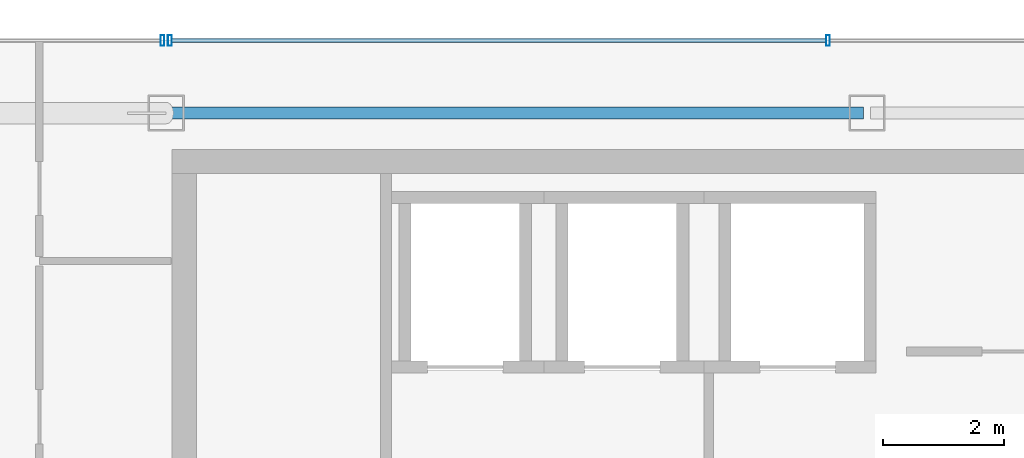
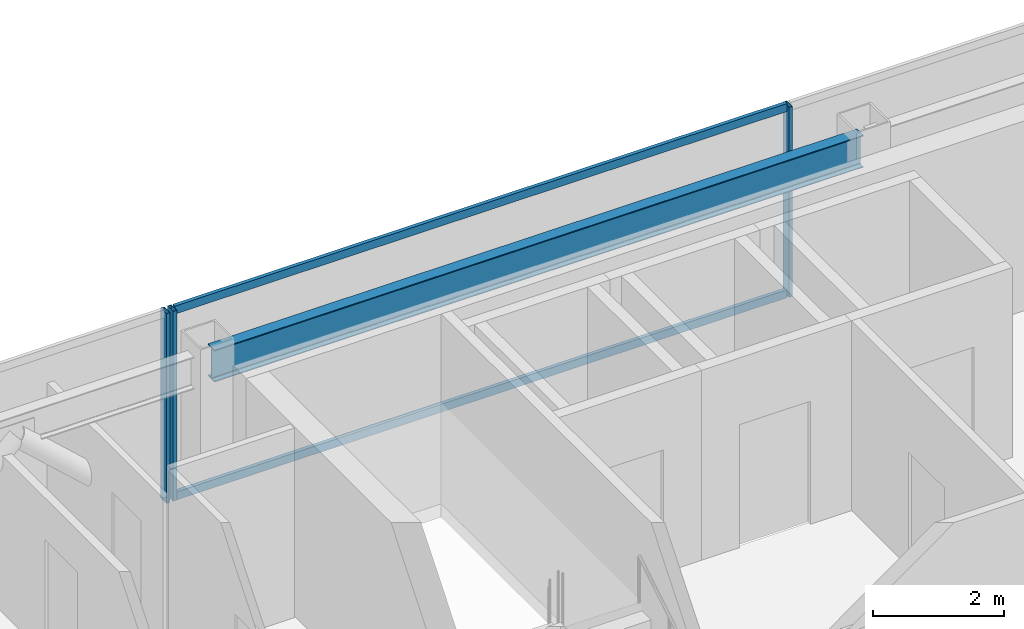
# One storey, part 10 of 23: 5 members, 1 beam, 2 elements without a shape of their own.
"""IFC4 building model written with IfcOpenShell, lengths in metres."""

from ifc_helpers import new_model, si_unit, direction, frame, origin, origin_2d, place, context, subcontext, project, spatial, hollow_rectangle, i_section, extrude, material, material_profile, profile_set, type_object, element, aggregate, save


model = new_model("IFC4")

# Units and contexts
model_context = context("Model", 3, precision=1e-05, world=origin(), true_north=direction((0.0, 1.0)))
body_context = subcontext(model_context, "Body", "Model", "MODEL_VIEW")
ifc_project = project(units=[si_unit("LENGTHUNIT", "METRE"), si_unit("AREAUNIT", "SQUARE_METRE"), si_unit("VOLUMEUNIT", "CUBIC_METRE"), si_unit("PLANEANGLEUNIT", "RADIAN"), si_unit("MASSUNIT", "GRAM", prefix="KILO")], contexts=[model_context])

# Site, building, storey
site_placement = place(None, origin())
site = spatial("IfcSite", under=ifc_project, at=site_placement, CompositionType="ELEMENT")
building_placement = place(site_placement, origin())
building = spatial("IfcBuilding", under=site, at=building_placement, Name="Saevonmaru Cultural Tower", CompositionType="ELEMENT")
storey_placement = place(building_placement, frame((0.0, 0.0, 291.39990234375)))
storey = spatial("IfcBuildingStorey", under=building, at=storey_placement, Name="L69", CompositionType="ELEMENT", Elevation=291.39990234375)

# Beam
ifc_material_1 = material(Name="Steel SM355", Category="steel")
ifc_material_profile_1 = material_profile(ifc_material_1, i_section(OverallWidth=0.199951171875, OverallDepth=0.60009765625, WebThickness=0.010986328125, FlangeThickness=0.01708984375, FilletRadius=0.02197265625, at=origin_2d()), Name="H-600x200x11x17")
ifc_profile_set_1 = profile_set([ifc_material_profile_1], Name="Steel SM355")
beam_type = type_object("IfcBeamType", Name="BM-SP-H600", PredefinedType="SPANDREL", material=ifc_profile_set_1)
beam_placement = place(storey_placement, frame((13.659912109375, 54.800048828125, 3.25), z_axis=(1.0, 0.0, 0.0), x_axis=(0.0, 1.0, 0.0)))
element("IfcBeam", 1, at=beam_placement, inside=storey, type_object=beam_type, Name="L69 North Spine Girder 2", PredefinedType="SPANDREL", context=body_context, shape_type="SweptSolid", body=[
    extrude(i_section(OverallWidth=0.199951171875, OverallDepth=0.60009765625, WebThickness=0.010986328125, FlangeThickness=0.01708984375, FilletRadius=0.02197265625, at=origin_2d()), origin(), (0.0, 0.0, 1.0), 11.47998046875),
])

# Curtain wall, members
ifc_material_2 = material(Name="Satin Bronze Anodised Aluminium", Category="aluminium")
curtain_wall_type = type_object("IfcCurtainWallType", Name="CW-TYP-B", PredefinedType="NOTDEFINED", material=ifc_material_2)
curtain_wall_1_placement = place(storey_placement, origin())
curtain_wall_1 = element("IfcCurtainWall", 2, at=curtain_wall_1_placement, inside=storey, type_object=curtain_wall_type, Name="L69 North Spine Unitised Curtain Wall E10B", PredefinedType="NOTDEFINED")
ifc_material_profile_2 = material_profile(ifc_material_2, hollow_rectangle(XDim=0.06494140625, YDim=0.179931640625, WallThickness=0.00390625, at=origin_2d()), Name="ALU-MULL-180x65x4")
ifc_profile_set_2 = profile_set([ifc_material_profile_2], Name="Satin Bronze Anodised Aluminium")
member_type_1 = type_object("IfcMemberType", Name="ML-CW-180x65", PredefinedType="MULLION", material=ifc_profile_set_2)
member_1_placement = place(storey_placement, frame((24.55322265625, 56.0, 0.0), z_axis=(0.0, 0.0, 1.0), x_axis=(-1.0, 0.0, 0.0)))
member_1 = element("IfcMember", 3, at=member_1_placement, type_object=member_type_1, Name="CW-TW-L69-E10B mullion 3", PredefinedType="MULLION", context=body_context, shape_type="SweptSolid", body=[
    extrude(hollow_rectangle(XDim=0.06494140625, YDim=0.179931640625, WallThickness=0.00390625, at=origin_2d()), origin(), (0.0, 0.0, 1.0), 3.550048828125),
])
member_2_placement = place(storey_placement, frame((13.659912109375, 56.0, 0.0), z_axis=(0.0, 0.0, 1.0), x_axis=(-1.0, 0.0, 0.0)))
member_2 = element("IfcMember", 4, at=member_2_placement, type_object=member_type_1, Name="CW-TW-L69-E10B mullion 4", PredefinedType="MULLION", context=body_context, shape_type="SweptSolid", body=[
    extrude(hollow_rectangle(XDim=0.06494140625, YDim=0.179931640625, WallThickness=0.00390625, at=origin_2d()), origin(), (0.0, 0.0, 1.0), 3.550048828125),
])

# Curtain wall, member
curtain_wall_2_placement = place(storey_placement, origin())
curtain_wall_2 = element("IfcCurtainWall", 5, at=curtain_wall_2_placement, inside=storey, type_object=curtain_wall_type, Name="L69 West Braced Bay Spandrel Curtain Wall E10C", PredefinedType="NOTDEFINED")
member_3_placement = place(storey_placement, frame((13.5400390625, 56.0, 0.0), z_axis=(0.0, 0.0, 1.0), x_axis=(-1.0, 0.0, 0.0)))
member_3 = element("IfcMember", 6, at=member_3_placement, type_object=member_type_1, Name="CW-TW-L69-E10C mullion 1", PredefinedType="MULLION", context=body_context, shape_type="SweptSolid", body=[
    extrude(hollow_rectangle(XDim=0.06494140625, YDim=0.179931640625, WallThickness=0.00390625, at=origin_2d()), origin(), (0.0, 0.0, 1.0), 3.550048828125),
])
aggregate(curtain_wall_2, [member_3])

# Member
ifc_material_profile_3 = material_profile(ifc_material_2, hollow_rectangle(XDim=0.06494140625, YDim=0.14990234375, WallThickness=0.00390625, at=origin_2d()), Name="ALU-TRAN-150x65x4")
ifc_profile_set_3 = profile_set([ifc_material_profile_3], Name="Satin Bronze Anodised Aluminium")
member_type_2 = type_object("IfcMemberType", Name="TR-CW-150x65", PredefinedType="USERDEFINED", material=ifc_profile_set_3)
member_4_placement = place(storey_placement, frame((24.520751953125, 56.0, 0.03271484375), z_axis=(-1.0, 0.0, 0.0), x_axis=(0.0, -1.0, 0.0)))
member_4 = element("IfcMember", 7, at=member_4_placement, type_object=member_type_2, Name="CW-TW-L69-E10B transom 3.1", ObjectType="TRANSOM", PredefinedType="USERDEFINED", context=body_context, shape_type="SweptSolid", body=[
    extrude(hollow_rectangle(XDim=0.06494140625, YDim=0.14990234375, WallThickness=0.00390625, at=origin_2d()), origin(), (0.0, 0.0, 1.0), 10.828369140625),
])

member_5_placement = place(storey_placement, frame((24.520751953125, 56.0, 3.517578125), z_axis=(-1.0, 0.0, 0.0), x_axis=(0.0, -1.0, 0.0)))
member_5 = element("IfcMember", 8, at=member_5_placement, type_object=member_type_2, Name="CW-TW-L69-E10B transom 3.2", ObjectType="TRANSOM", PredefinedType="USERDEFINED", context=body_context, shape_type="SweptSolid", body=[
    extrude(hollow_rectangle(XDim=0.06494140625, YDim=0.14990234375, WallThickness=0.00390625, at=origin_2d()), origin(), (0.0, 0.0, 1.0), 10.828369140625),
])

aggregate(curtain_wall_1, [member_1, member_2, member_4, member_5])

save(model, "model.ifc")
